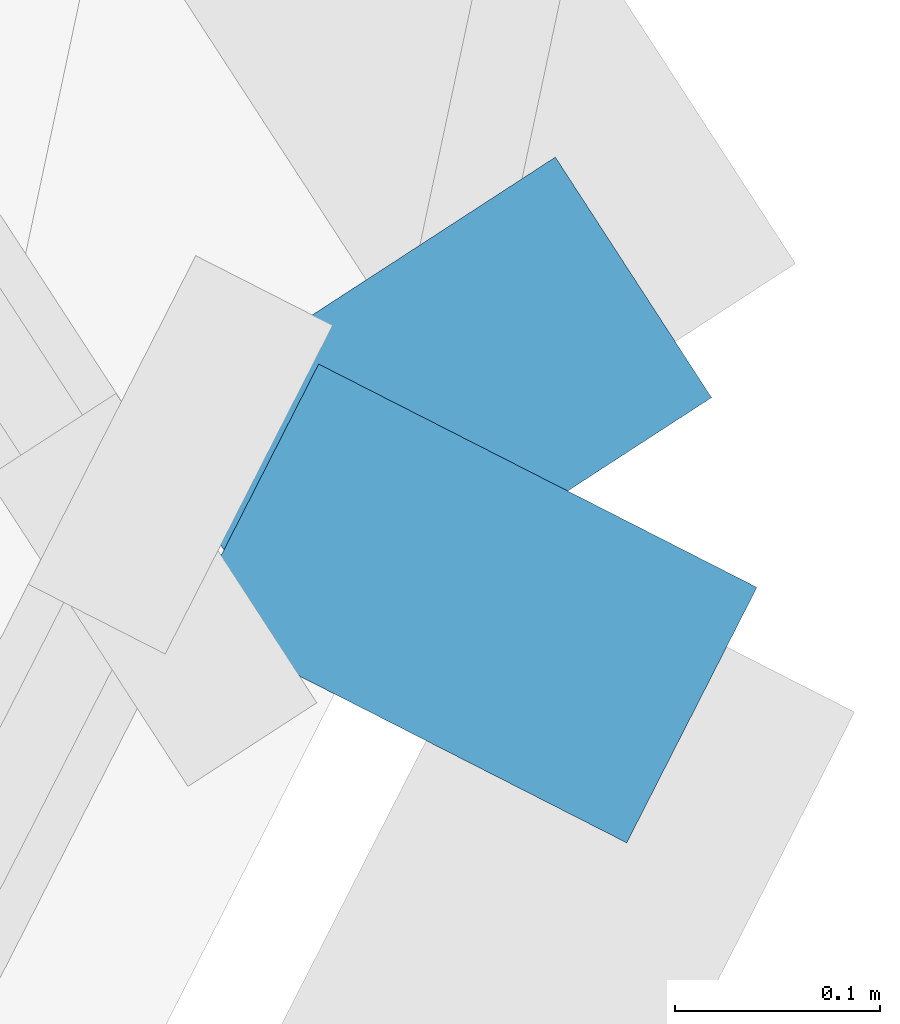
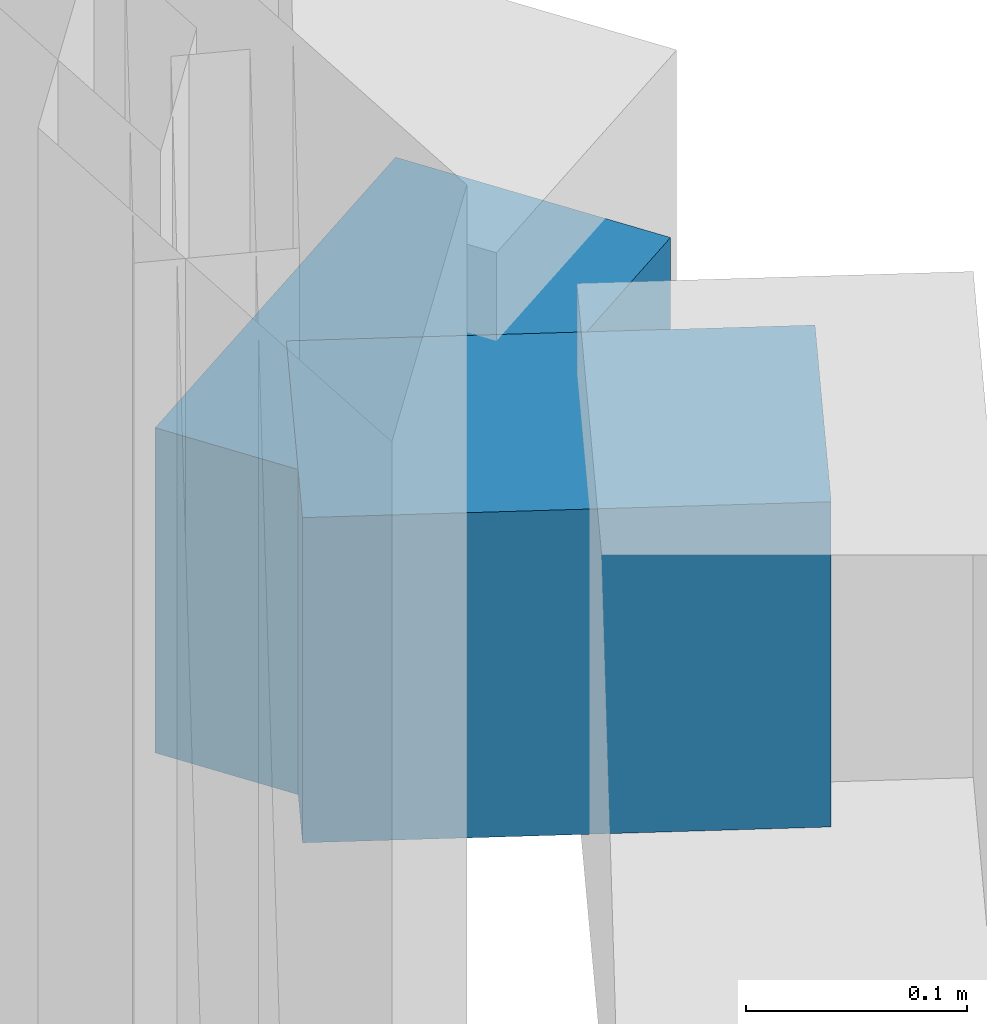
# One storey, part 11 of 15: 2 discrete accessories.
"""IFC4 building model written with IfcOpenShell, lengths in metres."""

from ifc_helpers import new_model, si_unit, direction, frame, origin, origin_2d, place, context, subcontext, project, spatial, rectangle, extrude, material, type_object, element, save


model = new_model("IFC4")

# Units and contexts
model_context = context("Model", 3, precision=1e-05, world=origin(), true_north=direction((0.0, 1.0)))
body_context = subcontext(model_context, "Body", "Model", "MODEL_VIEW")
ifc_project = project(units=[si_unit("LENGTHUNIT", "METRE"), si_unit("AREAUNIT", "SQUARE_METRE"), si_unit("VOLUMEUNIT", "CUBIC_METRE"), si_unit("PLANEANGLEUNIT", "RADIAN"), si_unit("MASSUNIT", "GRAM", prefix="KILO")], contexts=[model_context])

# Site, building, storey
site_placement = place(None, origin())
site = spatial("IfcSite", under=ifc_project, at=site_placement, CompositionType="ELEMENT")
building_placement = place(site_placement, origin())
building = spatial("IfcBuilding", under=site, at=building_placement, Name="Terralouvre Media Tower", CompositionType="ELEMENT")
storey_placement = place(building_placement, frame((0.0, 0.0, 263.300048828125)))
storey = spatial("IfcBuildingStorey", under=building, at=storey_placement, Name="L68", CompositionType="ELEMENT", Elevation=263.300048828125)

# Discrete accessories
ifc_material = material(Name="Anodised extruded aluminium 6063-T6", Category="aluminium")
discrete_accessory_type = type_object("IfcDiscreteAccessoryType", Name="Mullion Stand-Off Baguette Fixing Bracket BK-01", PredefinedType="BRACKET", material=ifc_material)
for number, where, z_axis, x_axis, name in (
    (1, (24.82958984375, 12.44677734375, 2.07421875), (0.0, 0.0, 1.0), (0.45399044259, 0.891006553308, 0.0), "CW-L68-F0 Baguette Outrigger Bracket 1.06"),
    (2, (24.807373046875, 12.54052734375, 2.07421875), (0.0, 0.0, 1.0), (-0.544639197097, 0.838670462688, 0.0), "CW-L68-C1 Baguette Outrigger Bracket 1.01"),
):
    element("IfcDiscreteAccessory", number, at=place(storey_placement, frame(where, z_axis=z_axis, x_axis=x_axis)), inside=storey, type_object=discrete_accessory_type, Name=name, PredefinedType="BRACKET", context=body_context, shape_type="SweptSolid", body=[
        extrude(rectangle(XDim=0.139892578125, YDim=0.239990234375, at=origin_2d()), origin(), (0.0, 0.0, 1.0), 0.179931640625),
    ])

save(model, "model.ifc")
